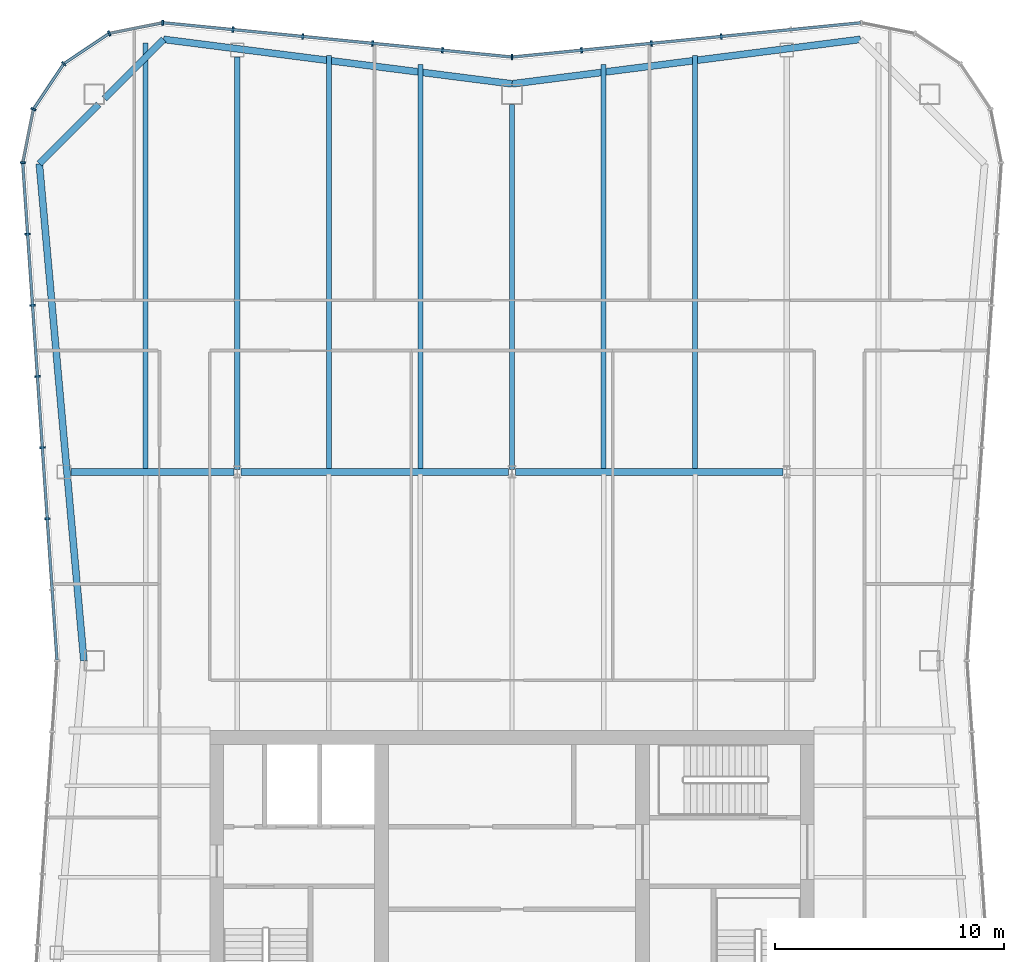
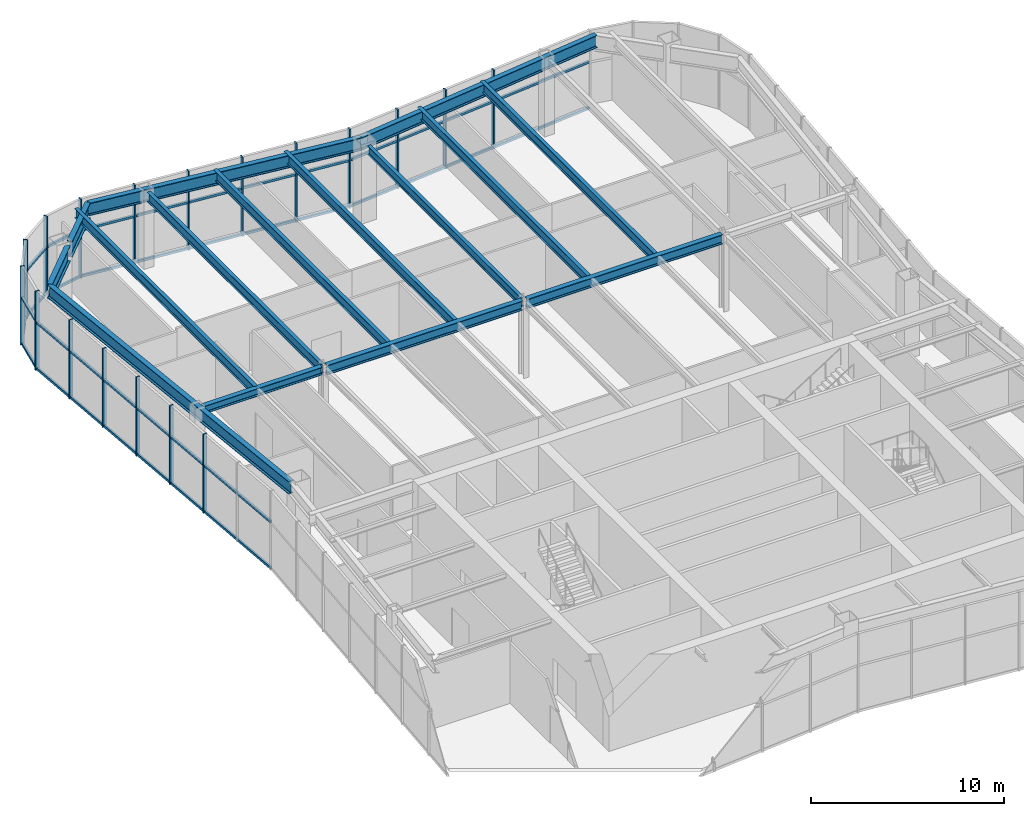
# One storey, part 6 of 13: 32 members, 15 beams, 3 elements without a shape of their own.
"""IFC4 building model written with IfcOpenShell, lengths in metres."""

from ifc_helpers import new_model, si_unit, direction, frame, origin, origin_2d, place, context, subcontext, project, spatial, rectangle, i_section, extrude, material, material_profile, profile_set, type_object, element, aggregate, save


model = new_model("IFC4")

# Units and contexts
model_context = context("Model", 3, precision=1e-05, world=origin(), true_north=direction((0.0, 1.0)))
body_context = subcontext(model_context, "Body", "Model", "MODEL_VIEW")
ifc_project = project(units=[si_unit("LENGTHUNIT", "METRE"), si_unit("AREAUNIT", "SQUARE_METRE"), si_unit("VOLUMEUNIT", "CUBIC_METRE"), si_unit("PLANEANGLEUNIT", "RADIAN"), si_unit("MASSUNIT", "GRAM", prefix="KILO")], contexts=[model_context])

# Site, building, storey
site_placement = place(None, origin())
site = spatial("IfcSite", under=ifc_project, at=site_placement, CompositionType="ELEMENT")
building_placement = place(site_placement, origin())
building = spatial("IfcBuilding", under=site, at=building_placement, Name="Verdant Reach Tower", CompositionType="ELEMENT")
storey_placement = place(building_placement, frame((0.0, 0.0, 349.5)))
storey = spatial("IfcBuildingStorey", under=building, at=storey_placement, Name="L79 Plant", CompositionType="ELEMENT", Elevation=349.5)

# Curtain wall, members
ifc_material_1 = material(Name="Anodised aluminium", Category="aluminium")
curtain_wall_type = type_object("IfcCurtainWallType", Name="EN-CW SYSTEM PLANT", PredefinedType="NOTDEFINED", material=ifc_material_1)
curtain_wall_1_placement = place(storey_placement, origin())
curtain_wall_1 = element("IfcCurtainWall", 1, at=curtain_wall_1_placement, inside=storey, type_object=curtain_wall_type, Name="Curtain wall north, L79", PredefinedType="NOTDEFINED")
ifc_material_profile_1 = material_profile(ifc_material_1, rectangle(XDim=0.238037109375, YDim=0.080078125, at=origin_2d()), Name="Mullion 80x240")
ifc_profile_set_1 = profile_set([ifc_material_profile_1], Name="Anodised aluminium")
member_type_1 = type_object("IfcMemberType", Name="EN-MULLION PLANT", PredefinedType="MULLION", material=ifc_profile_set_1)
member_1_placement = place(storey_placement, frame((9.138427734375, 68.518310546875, -0.35009765625), z_axis=(0.0, 0.0, 1.0), x_axis=(-0.09788826992, 0.995197410875, 0.0)))
member_1 = element("IfcMember", 2, at=member_1_placement, type_object=member_type_1, Name="Mullion north face part 1 3, L79", PredefinedType="MULLION", context=body_context, shape_type="SweptSolid", body=[
    extrude(rectangle(XDim=0.238037109375, YDim=0.080078125, at=origin_2d()), origin(), (0.0, 0.0, 1.0), 5.0),
])
member_2_placement = place(storey_placement, frame((6.08837890625, 68.218505859375, -0.35009765625), z_axis=(0.0, 0.0, 1.0), x_axis=(-0.09788826992, 0.995197410875, 0.0)))
member_2 = element("IfcMember", 3, at=member_2_placement, type_object=member_type_1, Name="Mullion north face part 1 4, L79", PredefinedType="MULLION", context=body_context, shape_type="SweptSolid", body=[
    extrude(rectangle(XDim=0.238037109375, YDim=0.080078125, at=origin_2d()), origin(), (0.0, 0.0, 1.0), 5.0),
])
member_3_placement = place(storey_placement, frame((3.038330078125, 67.91845703125, -0.35009765625), z_axis=(0.0, 0.0, 1.0), x_axis=(-0.09788826992, 0.995197410875, 0.0)))
member_3 = element("IfcMember", 4, at=member_3_placement, type_object=member_type_1, Name="Mullion north face part 1 5, L79", PredefinedType="MULLION", context=body_context, shape_type="SweptSolid", body=[
    extrude(rectangle(XDim=0.238037109375, YDim=0.080078125, at=origin_2d()), origin(), (0.0, 0.0, 1.0), 5.0),
])
member_4_placement = place(storey_placement, frame((0.0, 67.618896484375, -0.35009765625), z_axis=(0.0, 0.0, 1.0), x_axis=(0.0, 1.0, 0.0)))
member_4 = element("IfcMember", 5, at=member_4_placement, type_object=member_type_1, Name="Mullion north face part 2 1, L79", PredefinedType="MULLION", context=body_context, shape_type="SweptSolid", body=[
    extrude(rectangle(XDim=0.238037109375, YDim=0.080078125, at=origin_2d()), origin(), (0.0, 0.0, 1.0), 5.0),
])
member_5_placement = place(storey_placement, frame((-3.038330078125, 67.91845703125, -0.35009765625), z_axis=(0.0, 0.0, 1.0), x_axis=(0.09788826992, 0.995197410875, 0.0)))
member_5 = element("IfcMember", 6, at=member_5_placement, type_object=member_type_1, Name="Mullion north face part 2 2, L79", PredefinedType="MULLION", context=body_context, shape_type="SweptSolid", body=[
    extrude(rectangle(XDim=0.238037109375, YDim=0.080078125, at=origin_2d()), origin(), (0.0, 0.0, 1.0), 5.0),
])
member_6_placement = place(storey_placement, frame((-6.08837890625, 68.218505859375, -0.35009765625), z_axis=(0.0, 0.0, 1.0), x_axis=(0.09788826992, 0.995197410875, 0.0)))
member_6 = element("IfcMember", 7, at=member_6_placement, type_object=member_type_1, Name="Mullion north face part 2 3, L79", PredefinedType="MULLION", context=body_context, shape_type="SweptSolid", body=[
    extrude(rectangle(XDim=0.238037109375, YDim=0.080078125, at=origin_2d()), origin(), (0.0, 0.0, 1.0), 5.0),
])
member_7_placement = place(storey_placement, frame((-9.138427734375, 68.518310546875, -0.35009765625), z_axis=(0.0, 0.0, 1.0), x_axis=(0.09788826992, 0.995197410875, 0.0)))
member_7 = element("IfcMember", 8, at=member_7_placement, type_object=member_type_1, Name="Mullion north face part 2 4, L79", PredefinedType="MULLION", context=body_context, shape_type="SweptSolid", body=[
    extrude(rectangle(XDim=0.238037109375, YDim=0.080078125, at=origin_2d()), origin(), (0.0, 0.0, 1.0), 5.0),
])
member_8_placement = place(storey_placement, frame((-12.188232421875, 68.818359375, -0.35009765625), z_axis=(0.0, 0.0, 1.0), x_axis=(0.09788826992, 0.995197410875, 0.0)))
member_8 = element("IfcMember", 9, at=member_8_placement, type_object=member_type_1, Name="Mullion north face part 2 5, L79", PredefinedType="MULLION", context=body_context, shape_type="SweptSolid", body=[
    extrude(rectangle(XDim=0.238037109375, YDim=0.080078125, at=origin_2d()), origin(), (0.0, 0.0, 1.0), 5.0),
])

curtain_wall_2_placement = place(storey_placement, origin())
curtain_wall_2 = element("IfcCurtainWall", 10, at=curtain_wall_2_placement, inside=storey, type_object=curtain_wall_type, Name="Curtain wall north-west corner, L79", PredefinedType="NOTDEFINED")
member_9_placement = place(storey_placement, frame((-15.255859375, 69.118896484375, -0.35009765625), z_axis=(0.0, 0.0, 1.0), x_axis=(-0.049127596288, 0.998792510626, 0.0)))
member_9 = element("IfcMember", 11, at=member_9_placement, type_object=member_type_1, Name="Mullion north-west corner 1, L79", PredefinedType="MULLION", context=body_context, shape_type="SweptSolid", body=[
    extrude(rectangle(XDim=0.238037109375, YDim=0.080078125, at=origin_2d()), origin(), (0.0, 0.0, 1.0), 5.0),
])
member_10_placement = place(storey_placement, frame((-17.591552734375, 68.6533203125, -0.35009765625), z_axis=(0.0, 0.0, 1.0), x_axis=(-0.382693853776, 0.923875215753, 0.0)))
member_10 = element("IfcMember", 12, at=member_10_placement, type_object=member_type_1, Name="Mullion north-west corner 2, L79", PredefinedType="MULLION", context=body_context, shape_type="SweptSolid", body=[
    extrude(rectangle(XDim=0.238037109375, YDim=0.080078125, at=origin_2d()), origin(), (0.0, 0.0, 1.0), 5.0),
])
member_11_placement = place(storey_placement, frame((-19.57666015625, 67.32666015625, -0.35009765625), z_axis=(0.0, 0.0, 1.0), x_axis=(-0.707106781187, 0.707106781187, 0.0)))
member_11 = element("IfcMember", 13, at=member_11_placement, type_object=member_type_1, Name="Mullion north-west corner 3, L79", PredefinedType="MULLION", context=body_context, shape_type="SweptSolid", body=[
    extrude(rectangle(XDim=0.238037109375, YDim=0.080078125, at=origin_2d()), origin(), (0.0, 0.0, 1.0), 5.0),
])
member_12_placement = place(storey_placement, frame((-20.9033203125, 65.341552734375, -0.35009765625), z_axis=(0.0, 0.0, 1.0), x_axis=(-0.923875215753, 0.382693853776, 0.0)))
member_12 = element("IfcMember", 14, at=member_12_placement, type_object=member_type_1, Name="Mullion north-west corner 4, L79", PredefinedType="MULLION", context=body_context, shape_type="SweptSolid", body=[
    extrude(rectangle(XDim=0.238037109375, YDim=0.080078125, at=origin_2d()), origin(), (0.0, 0.0, 1.0), 5.0),
])

curtain_wall_3_placement = place(storey_placement, origin())
curtain_wall_3 = element("IfcCurtainWall", 15, at=curtain_wall_3_placement, inside=storey, type_object=curtain_wall_type, Name="Curtain wall west, L79", PredefinedType="NOTDEFINED")
member_13_placement = place(storey_placement, frame((-21.36865234375, 63.007568359375, -0.35009765625), z_axis=(0.0, 0.0, 1.0), x_axis=(-0.997969180898, 0.063698618332, 0.0)))
member_13 = element("IfcMember", 16, at=member_13_placement, type_object=member_type_1, Name="Mullion west face part 1 1, L79", PredefinedType="MULLION", context=body_context, shape_type="SweptSolid", body=[
    extrude(rectangle(XDim=0.238037109375, YDim=0.080078125, at=origin_2d()), origin(), (0.0, 0.0, 1.0), 5.0),
])
member_14_placement = place(storey_placement, frame((-21.154541015625, 59.884765625, -0.35009765625), z_axis=(0.0, 0.0, 1.0), x_axis=(-0.997630328423, -0.068802091615, 0.0)))
member_14 = element("IfcMember", 17, at=member_14_placement, type_object=member_type_1, Name="Mullion west face part 1 2, L79", PredefinedType="MULLION", context=body_context, shape_type="SweptSolid", body=[
    extrude(rectangle(XDim=0.238037109375, YDim=0.080078125, at=origin_2d()), origin(), (0.0, 0.0, 1.0), 5.0),
])
member_15_placement = place(storey_placement, frame((-20.940185546875, 56.777587890625, -0.35009765625), z_axis=(0.0, 0.0, 1.0), x_axis=(-0.997630328423, -0.068802091615, 0.0)))
member_15 = element("IfcMember", 18, at=member_15_placement, type_object=member_type_1, Name="Mullion west face part 1 3, L79", PredefinedType="MULLION", context=body_context, shape_type="SweptSolid", body=[
    extrude(rectangle(XDim=0.238037109375, YDim=0.080078125, at=origin_2d()), origin(), (0.0, 0.0, 1.0), 5.0),
])
member_16_placement = place(storey_placement, frame((-20.725830078125, 53.67041015625, -0.35009765625), z_axis=(0.0, 0.0, 1.0), x_axis=(-0.997630328423, -0.068802091615, 0.0)))
member_16 = element("IfcMember", 19, at=member_16_placement, type_object=member_type_1, Name="Mullion west face part 1 4, L79", PredefinedType="MULLION", context=body_context, shape_type="SweptSolid", body=[
    extrude(rectangle(XDim=0.238037109375, YDim=0.080078125, at=origin_2d()), origin(), (0.0, 0.0, 1.0), 5.0),
])
member_17_placement = place(storey_placement, frame((-20.511474609375, 50.563232421875, -0.35009765625), z_axis=(0.0, 0.0, 1.0), x_axis=(-0.997630328423, -0.068802091615, 0.0)))
member_17 = element("IfcMember", 20, at=member_17_placement, type_object=member_type_1, Name="Mullion west face part 1 5, L79", PredefinedType="MULLION", context=body_context, shape_type="SweptSolid", body=[
    extrude(rectangle(XDim=0.238037109375, YDim=0.080078125, at=origin_2d()), origin(), (0.0, 0.0, 1.0), 5.0),
])
member_18_placement = place(storey_placement, frame((-20.29736328125, 47.4560546875, -0.35009765625), z_axis=(0.0, 0.0, 1.0), x_axis=(-0.997630328423, -0.068802091615, 0.0)))
member_18 = element("IfcMember", 21, at=member_18_placement, type_object=member_type_1, Name="Mullion west face part 1 6, L79", PredefinedType="MULLION", context=body_context, shape_type="SweptSolid", body=[
    extrude(rectangle(XDim=0.238037109375, YDim=0.080078125, at=origin_2d()), origin(), (0.0, 0.0, 1.0), 5.0),
])

# Member
ifc_material_profile_2 = material_profile(ifc_material_1, rectangle(XDim=0.1201171875, YDim=0.14990234375, at=origin_2d()), Name="Transom 150x120")
ifc_profile_set_2 = profile_set([ifc_material_profile_2], Name="Anodised aluminium")
member_type_2 = type_object("IfcMemberType", Name="EN-TRANSOM PLANT", PredefinedType="USERDEFINED", material=ifc_profile_set_2)
member_19_placement = place(storey_placement, frame((15.216064453125, 69.114990234375, -0.27490234375), z_axis=(-0.995200989722, -0.097851878144, 0.0), x_axis=(0.097851878144, -0.995200989722, 0.0)))
member_19 = element("IfcMember", 22, at=member_19_placement, type_object=member_type_2, Name="Transom north face part 1 1.1, L79", ObjectType="TRANSOM", PredefinedType="USERDEFINED", context=body_context, shape_type="SweptSolid", body=[
    extrude(rectangle(XDim=0.1201171875, YDim=0.14990234375, at=origin_2d()), origin(), (0.0, 0.0, 1.0), 15.24951171875),
])

member_20_placement = place(storey_placement, frame((15.216064453125, 69.114990234375, 2.64990234375), z_axis=(-0.995200989722, -0.097851878144, 0.0), x_axis=(0.097851878144, -0.995200989722, 0.0)))
member_20 = element("IfcMember", 23, at=member_20_placement, type_object=member_type_2, Name="Transom north face part 1 1.2, L79", ObjectType="TRANSOM", PredefinedType="USERDEFINED", context=body_context, shape_type="SweptSolid", body=[
    extrude(rectangle(XDim=0.1201171875, YDim=0.14990234375, at=origin_2d()), origin(), (0.0, 0.0, 1.0), 15.24951171875),
])

member_21_placement = place(storey_placement, frame((-0.039794921875, 67.622802734375, -0.27490234375), z_axis=(-0.995200989722, 0.097851878144, 0.0), x_axis=(-0.097851878144, -0.995200989722, 0.0)))
member_21 = element("IfcMember", 24, at=member_21_placement, type_object=member_type_2, Name="Transom north face part 2 1.1, L79", ObjectType="TRANSOM", PredefinedType="USERDEFINED", context=body_context, shape_type="SweptSolid", body=[
    extrude(rectangle(XDim=0.1201171875, YDim=0.14990234375, at=origin_2d()), origin(), (0.0, 0.0, 1.0), 15.24951171875),
])

member_22_placement = place(storey_placement, frame((-0.039794921875, 67.622802734375, 2.64990234375), z_axis=(-0.995200989722, 0.097851878144, 0.0), x_axis=(-0.097851878144, -0.995200989722, 0.0)))
member_22 = element("IfcMember", 25, at=member_22_placement, type_object=member_type_2, Name="Transom north face part 2 1.2, L79", ObjectType="TRANSOM", PredefinedType="USERDEFINED", context=body_context, shape_type="SweptSolid", body=[
    extrude(rectangle(XDim=0.1201171875, YDim=0.14990234375, at=origin_2d()), origin(), (0.0, 0.0, 1.0), 15.24951171875),
])

aggregate(curtain_wall_1, [member_1, member_2, member_3, member_19, member_20, member_4, member_5, member_6, member_7, member_8, member_21, member_22])

member_23_placement = place(storey_placement, frame((-15.295166015625, 69.111083984375, -0.27490234375), z_axis=(-0.980706937788, -0.195483764476, 0.0), x_axis=(0.195483764476, -0.980706937788, 0.0)))
member_23 = element("IfcMember", 26, at=member_23_placement, type_object=member_type_2, Name="Transom north-west corner 1.1, L79", ObjectType="TRANSOM", PredefinedType="USERDEFINED", context=body_context, shape_type="SweptSolid", body=[
    extrude(rectangle(XDim=0.1201171875, YDim=0.14990234375, at=origin_2d()), origin(), (0.0, 0.0, 1.0), 2.3017578125),
])

member_24_placement = place(storey_placement, frame((-17.625, 68.631103515625, -0.27490234375), z_axis=(-0.831398626828, -0.5556764556, 0.0), x_axis=(0.5556764556, -0.831398626828, 0.0)))
member_24 = element("IfcMember", 27, at=member_24_placement, type_object=member_type_2, Name="Transom north-west corner 2.1, L79", ObjectType="TRANSOM", PredefinedType="USERDEFINED", context=body_context, shape_type="SweptSolid", body=[
    extrude(rectangle(XDim=0.1201171875, YDim=0.14990234375, at=origin_2d()), origin(), (0.0, 0.0, 1.0), 2.3076171875),
])

member_25_placement = place(storey_placement, frame((-19.598876953125, 67.29345703125, -0.27490234375), z_axis=(-0.5556764556, -0.831398626828, 0.0), x_axis=(0.831398626828, -0.5556764556, 0.0)))
member_25 = element("IfcMember", 28, at=member_25_placement, type_object=member_type_2, Name="Transom north-west corner 3.1, L79", ObjectType="TRANSOM", PredefinedType="USERDEFINED", context=body_context, shape_type="SweptSolid", body=[
    extrude(rectangle(XDim=0.1201171875, YDim=0.14990234375, at=origin_2d()), origin(), (0.0, 0.0, 1.0), 2.3076171875),
])

member_26_placement = place(storey_placement, frame((-20.9111328125, 65.302490234375, -0.27490234375), z_axis=(-0.195524121666, -0.980698892549, 0.0), x_axis=(0.980698892549, -0.195524121666, 0.0)))
member_26 = element("IfcMember", 29, at=member_26_placement, type_object=member_type_2, Name="Transom north-west corner 4.1, L79", ObjectType="TRANSOM", PredefinedType="USERDEFINED", context=body_context, shape_type="SweptSolid", body=[
    extrude(rectangle(XDim=0.1201171875, YDim=0.14990234375, at=origin_2d()), origin(), (0.0, 0.0, 1.0), 2.300048828125),
])

member_27_placement = place(storey_placement, frame((-15.295166015625, 69.111083984375, 2.64990234375), z_axis=(-0.980706937788, -0.195483764476, 0.0), x_axis=(0.195483764476, -0.980706937788, 0.0)))
member_27 = element("IfcMember", 30, at=member_27_placement, type_object=member_type_2, Name="Transom north-west corner 1.2, L79", ObjectType="TRANSOM", PredefinedType="USERDEFINED", context=body_context, shape_type="SweptSolid", body=[
    extrude(rectangle(XDim=0.1201171875, YDim=0.14990234375, at=origin_2d()), origin(), (0.0, 0.0, 1.0), 2.3017578125),
])

member_28_placement = place(storey_placement, frame((-17.625, 68.631103515625, 2.64990234375), z_axis=(-0.831398626828, -0.5556764556, 0.0), x_axis=(0.5556764556, -0.831398626828, 0.0)))
member_28 = element("IfcMember", 31, at=member_28_placement, type_object=member_type_2, Name="Transom north-west corner 2.2, L79", ObjectType="TRANSOM", PredefinedType="USERDEFINED", context=body_context, shape_type="SweptSolid", body=[
    extrude(rectangle(XDim=0.1201171875, YDim=0.14990234375, at=origin_2d()), origin(), (0.0, 0.0, 1.0), 2.3076171875),
])

member_29_placement = place(storey_placement, frame((-19.598876953125, 67.29345703125, 2.64990234375), z_axis=(-0.5556764556, -0.831398626828, 0.0), x_axis=(0.831398626828, -0.5556764556, 0.0)))
member_29 = element("IfcMember", 32, at=member_29_placement, type_object=member_type_2, Name="Transom north-west corner 3.2, L79", ObjectType="TRANSOM", PredefinedType="USERDEFINED", context=body_context, shape_type="SweptSolid", body=[
    extrude(rectangle(XDim=0.1201171875, YDim=0.14990234375, at=origin_2d()), origin(), (0.0, 0.0, 1.0), 2.3076171875),
])

member_30_placement = place(storey_placement, frame((-20.9111328125, 65.302490234375, 2.64990234375), z_axis=(-0.195524121666, -0.980698892549, 0.0), x_axis=(0.980698892549, -0.195524121666, 0.0)))
member_30 = element("IfcMember", 33, at=member_30_placement, type_object=member_type_2, Name="Transom north-west corner 4.2, L79", ObjectType="TRANSOM", PredefinedType="USERDEFINED", context=body_context, shape_type="SweptSolid", body=[
    extrude(rectangle(XDim=0.1201171875, YDim=0.14990234375, at=origin_2d()), origin(), (0.0, 0.0, 1.0), 2.300048828125),
])

aggregate(curtain_wall_2, [member_9, member_10, member_11, member_12, member_23, member_24, member_25, member_26, member_27, member_28, member_29, member_30])

member_31_placement = place(storey_placement, frame((-21.365966796875, 62.9677734375, -0.27490234375), z_axis=(0.068761218296, -0.997633146431, 0.0), x_axis=(0.997633146431, 0.068761218296, 0.0)))
member_31 = element("IfcMember", 34, at=member_31_placement, type_object=member_type_2, Name="Transom west face part 1 1.1, L79", ObjectType="TRANSOM", PredefinedType="USERDEFINED", context=body_context, shape_type="SweptSolid", body=[
    extrude(rectangle(XDim=0.1201171875, YDim=0.14990234375, at=origin_2d()), origin(), (0.0, 0.0, 1.0), 21.7294921875),
])

member_32_placement = place(storey_placement, frame((-21.365966796875, 62.9677734375, 2.64990234375), z_axis=(0.068761218296, -0.997633146431, 0.0), x_axis=(0.997633146431, 0.068761218296, 0.0)))
member_32 = element("IfcMember", 35, at=member_32_placement, type_object=member_type_2, Name="Transom west face part 1 1.2, L79", ObjectType="TRANSOM", PredefinedType="USERDEFINED", context=body_context, shape_type="SweptSolid", body=[
    extrude(rectangle(XDim=0.1201171875, YDim=0.14990234375, at=origin_2d()), origin(), (0.0, 0.0, 1.0), 21.7294921875),
])

aggregate(curtain_wall_3, [member_13, member_14, member_15, member_16, member_17, member_18, member_31, member_32])

# Beams
ifc_material_2 = material(Name="Steel S355", Category="steel")
ifc_material_profile_3 = material_profile(ifc_material_2, i_section(OverallWidth=0.300048828125, OverallDepth=0.489990234375, WebThickness=0.011962890625, FlangeThickness=0.02294921875, FilletRadius=0.027099609375, at=origin_2d()), Name="HEA 500")
ifc_profile_set_3 = profile_set([ifc_material_profile_3], Name="Steel S355")
beam_type_1 = type_object("IfcBeamType", Name="ST-BEAM-HEA500", PredefinedType="BEAM", material=ifc_profile_set_3)
beam_1_placement = place(storey_placement, frame((-19.26904296875, 49.5, 4.60498046875), z_axis=(1.0, 0.0, 0.0), x_axis=(0.0, 1.0, 0.0)))
element("IfcBeam", 36, at=beam_1_placement, inside=storey, type_object=beam_type_1, Name="Row girder, L79 Plant", PredefinedType="BEAM", context=body_context, shape_type="SweptSolid", body=[
    extrude(i_section(OverallWidth=0.300048828125, OverallDepth=0.489990234375, WebThickness=0.011962890625, FlangeThickness=0.02294921875, FilletRadius=0.027099609375, at=origin_2d()), origin(), (0.0, 0.0, 1.0), 7.115966796875),
])
ifc_material_profile_4 = material_profile(ifc_material_2, i_section(OverallWidth=0.300048828125, OverallDepth=0.60009765625, WebThickness=0.015380859375, FlangeThickness=0.030029296875, FilletRadius=0.027099609375, at=origin_2d()), Name="HEB 600")
ifc_profile_set_4 = profile_set([ifc_material_profile_4], Name="Steel S355")
beam_type_2 = type_object("IfcBeamType", Name="ST-BEAM-HEB600", PredefinedType="BEAM", material=ifc_profile_set_4)
for number, where, z_axis, x_axis, name in (
    (37, (-11.846923828125, 49.5, 4.550048828125), (1.0, 0.0, 0.0), (0.0, 1.0, 0.0), "Row girder, L79 Plant"),
    (38, (0.153076171875, 49.5, 4.550048828125), (1.0, 0.0, 0.0), (0.0, 1.0, 0.0), "Row girder, L79 Plant"),
):
    element("IfcBeam", number, at=place(storey_placement, frame(where, z_axis=z_axis, x_axis=x_axis)), inside=storey, type_object=beam_type_2, Name=name, PredefinedType="BEAM", context=body_context, shape_type="SweptSolid", body=[
        extrude(i_section(OverallWidth=0.300048828125, OverallDepth=0.60009765625, WebThickness=0.015380859375, FlangeThickness=0.030029296875, FilletRadius=0.027099609375, at=origin_2d()), origin(), (0.0, 0.0, 1.0), 11.69384765625),
    ])
ifc_material_profile_5 = material_profile(ifc_material_2, i_section(OverallWidth=0.2099609375, OverallDepth=0.550048828125, WebThickness=0.010986328125, FlangeThickness=0.01708984375, FilletRadius=0.02392578125, at=origin_2d()), Name="IPE 550")
ifc_profile_set_5 = profile_set([ifc_material_profile_5], Name="Steel S355")
beam_type_3 = type_object("IfcBeamType", Name="ST-JOIST-IPE550", PredefinedType="JOIST", material=ifc_profile_set_5)
beam_2_placement = place(storey_placement, frame((0.0, 49.60009765625, 4.574951171875), z_axis=(0.0, 1.0, 0.0), x_axis=(-1.0, 0.0, 0.0)))
element("IfcBeam", 39, at=beam_2_placement, inside=storey, type_object=beam_type_3, Name="Floor joist, L79 Plant", PredefinedType="JOIST", context=body_context, shape_type="SweptSolid", body=[
    extrude(i_section(OverallWidth=0.2099609375, OverallDepth=0.550048828125, WebThickness=0.010986328125, FlangeThickness=0.01708984375, FilletRadius=0.02392578125, at=origin_2d()), origin(), (0.0, 0.0, 1.0), 15.949951171875),
])
ifc_material_profile_6 = material_profile(ifc_material_2, i_section(OverallWidth=0.219970703125, OverallDepth=0.60009765625, WebThickness=0.011962890625, FlangeThickness=0.01904296875, FilletRadius=0.02392578125, at=origin_2d()), Name="IPE 600")
ifc_profile_set_6 = profile_set([ifc_material_profile_6], Name="Steel S355")
beam_type_4 = type_object("IfcBeamType", Name="ST-JOIST-IPE600", PredefinedType="JOIST", material=ifc_profile_set_6)
beam_3_placement = place(storey_placement, frame((-16.0, 49.60009765625, 4.550048828125), z_axis=(0.0, 1.0, 0.0), x_axis=(-1.0, 0.0, 0.0)))
element("IfcBeam", 40, at=beam_3_placement, inside=storey, type_object=beam_type_4, Name="Floor joist, L79 Plant", PredefinedType="JOIST", context=body_context, shape_type="SweptSolid", body=[
    extrude(i_section(OverallWidth=0.219970703125, OverallDepth=0.60009765625, WebThickness=0.011962890625, FlangeThickness=0.01904296875, FilletRadius=0.02392578125, at=origin_2d()), origin(), (0.0, 0.0, 1.0), 18.638916015625),
])
beam_4_placement = place(storey_placement, frame((-12.0, 49.60009765625, 4.550048828125), z_axis=(0.0, 1.0, 0.0), x_axis=(-1.0, 0.0, 0.0)))
element("IfcBeam", 41, at=beam_4_placement, inside=storey, type_object=beam_type_4, Name="Floor joist, L79 Plant", PredefinedType="JOIST", context=body_context, shape_type="SweptSolid", body=[
    extrude(i_section(OverallWidth=0.219970703125, OverallDepth=0.60009765625, WebThickness=0.011962890625, FlangeThickness=0.01904296875, FilletRadius=0.02392578125, at=origin_2d()), origin(), (0.0, 0.0, 1.0), 18.0302734375),
])
beam_5_placement = place(storey_placement, frame((-8.0, 49.60009765625, 4.550048828125), z_axis=(0.0, 1.0, 0.0), x_axis=(-1.0, 0.0, 0.0)))
element("IfcBeam", 42, at=beam_5_placement, inside=storey, type_object=beam_type_4, Name="Floor joist, L79 Plant", PredefinedType="JOIST", context=body_context, shape_type="SweptSolid", body=[
    extrude(i_section(OverallWidth=0.219970703125, OverallDepth=0.60009765625, WebThickness=0.011962890625, FlangeThickness=0.01904296875, FilletRadius=0.02392578125, at=origin_2d()), origin(), (0.0, 0.0, 1.0), 18.083984375),
])
for number, where, z_axis, x_axis, name in (
    (43, (-4.0, 49.60009765625, 4.550048828125), (0.0, 1.0, 0.0), (-1.0, 0.0, 0.0), "Floor joist, L79 Plant"),
    (44, (4.0, 49.60009765625, 4.550048828125), (0.0, 1.0, 0.0), (-1.0, 0.0, 0.0), "Floor joist, L79 Plant"),
):
    element("IfcBeam", number, at=place(storey_placement, frame(where, z_axis=z_axis, x_axis=x_axis)), inside=storey, type_object=beam_type_4, Name=name, PredefinedType="JOIST", context=body_context, shape_type="SweptSolid", body=[
        extrude(i_section(OverallWidth=0.219970703125, OverallDepth=0.60009765625, WebThickness=0.011962890625, FlangeThickness=0.01904296875, FilletRadius=0.02392578125, at=origin_2d()), origin(), (0.0, 0.0, 1.0), 17.6904296875),
    ])
beam_6_placement = place(storey_placement, frame((8.0, 49.60009765625, 4.550048828125), z_axis=(0.0, 1.0, 0.0), x_axis=(-1.0, 0.0, 0.0)))
element("IfcBeam", 45, at=beam_6_placement, inside=storey, type_object=beam_type_4, Name="Floor joist, L79 Plant", PredefinedType="JOIST", context=body_context, shape_type="SweptSolid", body=[
    extrude(i_section(OverallWidth=0.219970703125, OverallDepth=0.60009765625, WebThickness=0.011962890625, FlangeThickness=0.01904296875, FilletRadius=0.02392578125, at=origin_2d()), origin(), (0.0, 0.0, 1.0), 18.083984375),
])
ifc_material_profile_7 = material_profile(ifc_material_2, i_section(OverallWidth=0.300048828125, OverallDepth=0.800048828125, WebThickness=0.017578125, FlangeThickness=0.032958984375, FilletRadius=0.030029296875, at=origin_2d()), Name="HEB 800")
ifc_profile_set_7 = profile_set([ifc_material_profile_7], Name="Steel S355")
beam_type_5 = type_object("IfcBeamType", Name="ST-SPANDREL-HEB800", PredefinedType="SPANDREL", material=ifc_profile_set_7)
beam_7_placement = place(storey_placement, frame((-18.699951171875, 41.25, 4.449951171875), z_axis=(-0.089274399498, 0.996007069048, 0.0), x_axis=(-0.996007069048, -0.089274399498, 0.0)))
element("IfcBeam", 46, at=beam_7_placement, inside=storey, type_object=beam_type_5, Name="Edge beam, L79 Plant", PredefinedType="SPANDREL", context=body_context, shape_type="SweptSolid", body=[
    extrude(i_section(OverallWidth=0.300048828125, OverallDepth=0.800048828125, WebThickness=0.017578125, FlangeThickness=0.032958984375, FilletRadius=0.030029296875, at=origin_2d()), origin(), (0.0, 0.0, 1.0), 21.798583984375),
])
for number, where, z_axis, x_axis, name in (
    (47, (-15.22021484375, 68.394287109375, 4.449951171875), (0.991938889669, -0.126717162063, 0.0), (0.126717162063, 0.991938889669, 0.0), "Edge beam, L79 Plant"),
    (48, (0.0, 66.449951171875, 4.449951171875), (0.991938889669, 0.126717162063, 0.0), (-0.126717162063, 0.991938889669, 0.0), "Edge beam, L79 Plant"),
):
    element("IfcBeam", number, at=place(storey_placement, frame(where, z_axis=z_axis, x_axis=x_axis)), inside=storey, type_object=beam_type_5, Name=name, PredefinedType="SPANDREL", context=body_context, shape_type="SweptSolid", body=[
        extrude(i_section(OverallWidth=0.300048828125, OverallDepth=0.800048828125, WebThickness=0.017578125, FlangeThickness=0.032958984375, FilletRadius=0.030029296875, at=origin_2d()), origin(), (0.0, 0.0, 1.0), 15.343994140625),
    ])
ifc_material_profile_8 = material_profile(ifc_material_2, i_section(OverallWidth=0.302001953125, OverallDepth=1.008056640625, WebThickness=0.02099609375, FlangeThickness=0.0400390625, FilletRadius=0.030029296875, at=origin_2d()), Name="HEM 1000")
ifc_profile_set_8 = profile_set([ifc_material_profile_8], Name="Steel S355")
beam_type_6 = type_object("IfcBeamType", Name="ST-SPANDREL-HEM1000", PredefinedType="SPANDREL", material=ifc_profile_set_8)
beam_8_placement = place(storey_placement, frame((-20.64599609375, 62.96142578125, 4.345947265625), z_axis=(0.706639493403, 0.707573760369, 0.0), x_axis=(-0.707573760369, 0.706639493403, 0.0)))
element("IfcBeam", 49, at=beam_8_placement, inside=storey, type_object=beam_type_6, Name="Edge beam, L79 Plant", PredefinedType="SPANDREL", context=body_context, shape_type="SweptSolid", body=[
    extrude(i_section(OverallWidth=0.302001953125, OverallDepth=1.008056640625, WebThickness=0.02099609375, FlangeThickness=0.0400390625, FilletRadius=0.030029296875, at=origin_2d()), origin(), (0.0, 0.0, 1.0), 3.658447265625),
])
beam_9_placement = place(storey_placement, frame((-17.800048828125, 65.81103515625, 4.345947265625), z_axis=(0.706638520854, 0.707574731632, 0.0), x_axis=(-0.707574731632, 0.706638520854, 0.0)))
element("IfcBeam", 50, at=beam_9_placement, inside=storey, type_object=beam_type_6, Name="Edge beam, L79 Plant", PredefinedType="SPANDREL", context=body_context, shape_type="SweptSolid", body=[
    extrude(i_section(OverallWidth=0.302001953125, OverallDepth=1.008056640625, WebThickness=0.02099609375, FlangeThickness=0.0400390625, FilletRadius=0.030029296875, at=origin_2d()), origin(), (0.0, 0.0, 1.0), 3.65087890625),
])

save(model, "model.ifc")
